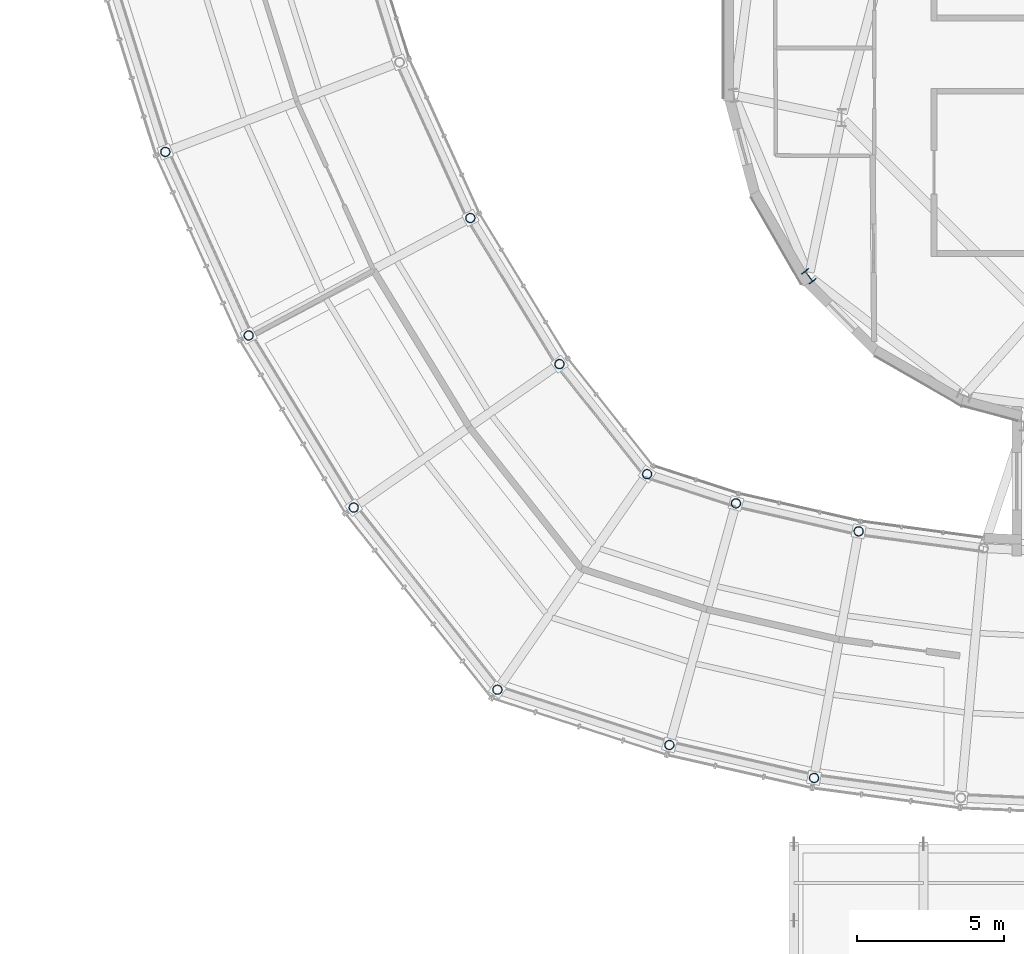
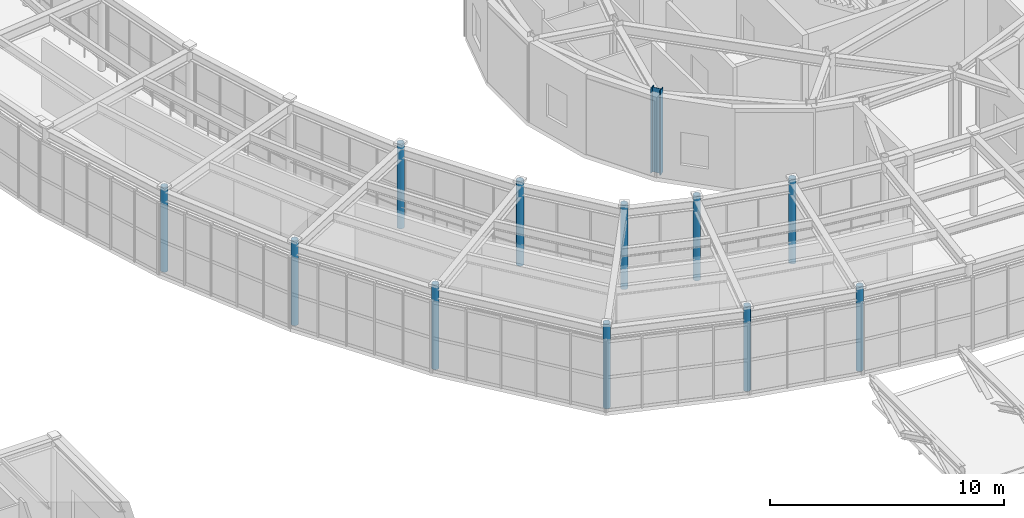
# One storey, part 2 of 103: 12 columns.
"""IFC4 building model written with IfcOpenShell, lengths in metres."""

from ifc_helpers import new_model, si_unit, direction, frame, origin, origin_2d, place, context, subcontext, project, spatial, hollow_circle, i_section, extrude, material, material_profile, profile_set, type_object, element, save


model = new_model("IFC4")

# Units and contexts
model_context = context("Model", 3, precision=1e-05, world=origin(), true_north=direction((0.0, 1.0)))
body_context = subcontext(model_context, "Body", "Model", "MODEL_VIEW")
ifc_project = project(units=[si_unit("LENGTHUNIT", "METRE"), si_unit("AREAUNIT", "SQUARE_METRE"), si_unit("VOLUMEUNIT", "CUBIC_METRE"), si_unit("PLANEANGLEUNIT", "RADIAN"), si_unit("MASSUNIT", "GRAM", prefix="KILO")], contexts=[model_context])

# Site, building, storey
site_placement = place(None, origin())
site = spatial("IfcSite", under=ifc_project, at=site_placement, CompositionType="ELEMENT")
building_placement = place(site_placement, origin())
building = spatial("IfcBuilding", under=site, at=building_placement, Name="Varnklinge Art Gallery", CompositionType="ELEMENT")
storey_placement = place(building_placement, frame((0.0, 0.0, 5.10009765625)))
storey = spatial("IfcBuildingStorey", under=building, at=storey_placement, Name="L01", CompositionType="ELEMENT", Elevation=5.10009765625)

# Columns
ifc_material_1 = material(Name="Steel S355", Category="steel")
ifc_material_profile_1 = material_profile(ifc_material_1, i_section(OverallWidth=0.300048828125, OverallDepth=0.449951171875, WebThickness=0.013916015625, FlangeThickness=0.02587890625, FilletRadius=0.027099609375, at=origin_2d()), Name="HEB 450")
ifc_profile_set_1 = profile_set([ifc_material_profile_1], Name="Steel S355")
column_type_1 = type_object("IfcColumnType", Name="COL-E2", PredefinedType="COLUMN", material=ifc_profile_set_1)
column_placement = place(storey_placement, frame((65.305419921875, 30.677490234375, 0.0), z_axis=(0.0, 0.0, 1.0), x_axis=(-0.793353340291, -0.608761429009, 0.0)))
element("IfcColumn", 1, at=column_placement, inside=storey, type_object=column_type_1, Name="L01 Column V4CP-08", PredefinedType="COLUMN", context=body_context, shape_type="SweptSolid", body=[
    extrude(i_section(OverallWidth=0.300048828125, OverallDepth=0.449951171875, WebThickness=0.013916015625, FlangeThickness=0.02587890625, FilletRadius=0.027099609375, at=origin_2d()), origin(), (0.0, 0.0, 1.0), 4.419921875),
])
ifc_material_2 = material(Name="Steel S355", Category="steel")
ifc_material_profile_2 = material_profile(ifc_material_2, hollow_circle(Radius=0.161865234375, WallThickness=0.01611328125, at=origin_2d()), Name="CHS 323.9x16")
ifc_profile_set_2 = profile_set([ifc_material_profile_2], Name="Steel S355")
column_type_2 = type_object("IfcColumnType", Name="COL-E6", PredefinedType="COLUMN", material=ifc_profile_set_2)
for number, where, z_axis, x_axis, name in (
    (2, (43.45361328125, 34.90283203125, 0.0), (0.0, 0.0, 1.0), (0.934017558691, 0.357227098715, 0.0), "L01 Column V2CO-30"),
    (3, (46.28369140625, 28.6689453125, 0.0), (0.0, 0.0, 1.0), (0.883683947469, 0.468084053333, 0.0), "L01 Column V2CO-31"),
    (4, (53.810302734375, 32.655517578125, 0.0), (0.0, 0.0, 1.0), (0.883683947469, 0.468084053333, 0.0), "L01 Column V2CI-31"),
    (5, (49.85009765625, 22.8251953125, 0.0), (0.0, 0.0, 1.0), (0.820351542489, 0.571859551582, 0.0), "L01 Column V2CO-32"),
    (6, (56.8369140625, 27.6962890625, 0.0), (0.0, 0.0, 1.0), (0.820351542489, 0.571859551582, 0.0), "L01 Column V2CI-32"),
    (7, (54.72900390625, 16.64013671875, 0.0), (0.0, 0.0, 1.0), (0.570570241419, 0.821248804935, 0.0), "L01 Column V2CO-33"),
    (8, (59.814208984375, 23.958984375, 0.0), (0.0, 0.0, 1.0), (0.570570241419, 0.821248804935, 0.0), "L01 Column V2CI-33"),
    (9, (60.5703125, 14.7626953125, 0.0), (0.0, 0.0, 1.0), (0.265387847052, 0.964141737836, 0.0), "L01 Column V2CO-34"),
    (10, (62.82861328125, 22.966796875, 0.0), (0.0, 0.0, 1.0), (0.265387847052, 0.964141737836, 0.0), "L01 Column V2CI-34"),
    (11, (65.479736328125, 13.64501953125, 0.0), (0.0, 0.0, 1.0), (0.178115290264, 0.984009625651, 0.0), "L01 Column V2CO-35"),
    (12, (66.99560546875, 22.018310546875, 0.0), (0.0, 0.0, 1.0), (0.178115290264, 0.984009625651, 0.0), "L01 Column V2CI-35"),
):
    element("IfcColumn", number, at=place(storey_placement, frame(where, z_axis=z_axis, x_axis=x_axis)), inside=storey, type_object=column_type_2, Name=name, PredefinedType="COLUMN", context=body_context, shape_type="SweptSolid", body=[
        extrude(hollow_circle(Radius=0.161865234375, WallThickness=0.01611328125, at=origin_2d()), origin(), (0.0, 0.0, 1.0), 4.419921875),
    ])

save(model, "model.ifc")
